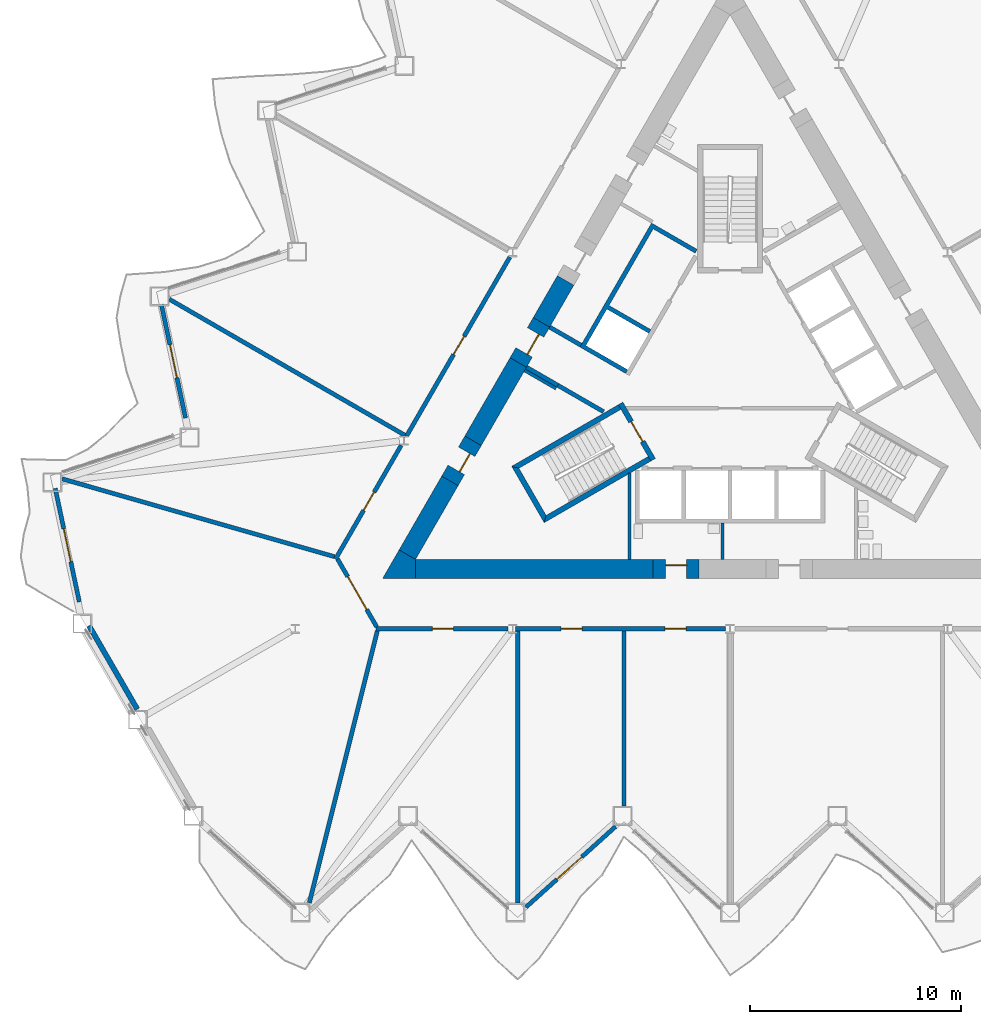
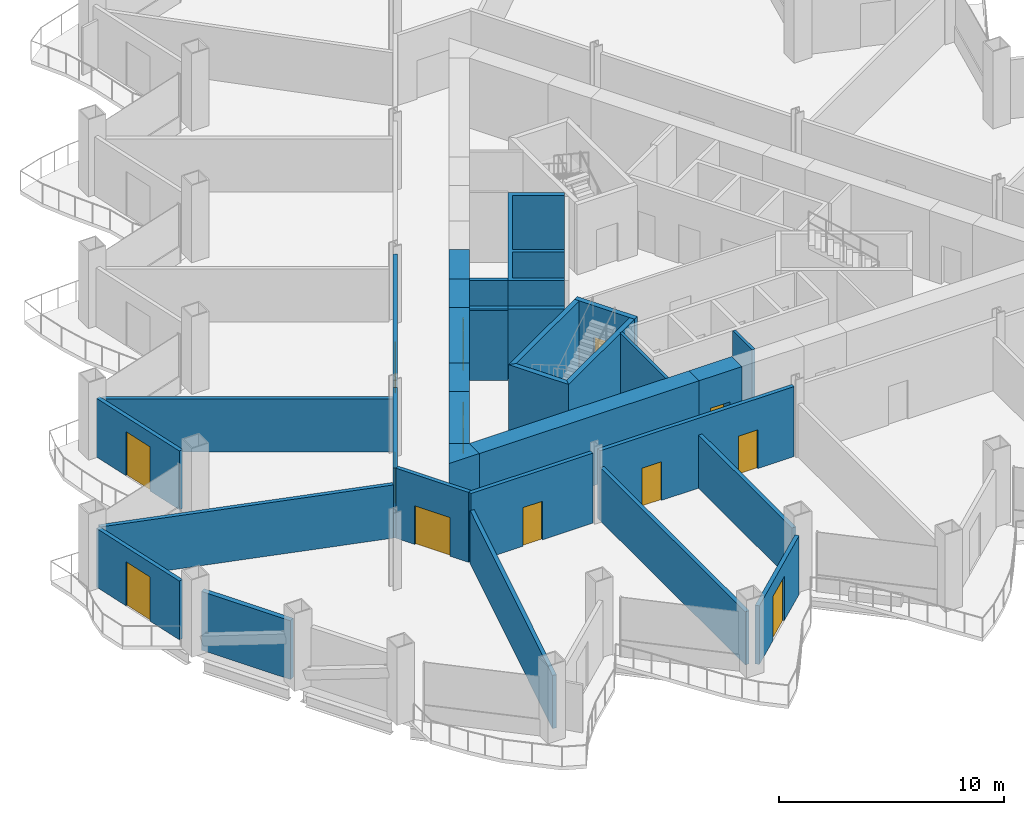
# One storey, part 10 of 21: 33 walls, 13 doors, 13 openings.
"""IFC4 building model written with IfcOpenShell, lengths in metres."""

from ifc_helpers import new_model, si_unit, direction, frame, frame_2d, origin, place, context, subcontext, project, spatial, polyline, rectangle, outline, extrude, material, layer, layer_set, type_object, element, fill, save


model = new_model("IFC4")

# Units and contexts
model_context = context("Model", 3, precision=1e-05, world=origin(), true_north=direction((0.0, 1.0)))
body_context = subcontext(model_context, "Body", "Model", "MODEL_VIEW")
ifc_project = project(units=[si_unit("LENGTHUNIT", "METRE"), si_unit("AREAUNIT", "SQUARE_METRE"), si_unit("VOLUMEUNIT", "CUBIC_METRE"), si_unit("PLANEANGLEUNIT", "RADIAN"), si_unit("MASSUNIT", "GRAM", prefix="KILO")], contexts=[model_context])

# Site, building, storey
site_placement = place(None, origin())
site = spatial("IfcSite", under=ifc_project, at=site_placement, CompositionType="ELEMENT")
building_placement = place(site_placement, origin())
building = spatial("IfcBuilding", under=site, at=building_placement, Name="Cormorant Prow Tower", CompositionType="ELEMENT")
storey_placement = place(building_placement, frame((0.0, 0.0, 124.800048828125)))
storey = spatial("IfcBuildingStorey", under=building, at=storey_placement, Name="L26", CompositionType="ELEMENT", Elevation=124.800048828125)

# Walls
ifc_material_1 = material(Name="Gypsum board partition")
ifc_layer_1 = layer(ifc_material_1, 0.14990234375)
ifc_layer_set_1 = layer_set([ifc_layer_1], Name="Gypsum board partition")
wall_type_1 = type_object("IfcWallType", Name="Core partition 150", PredefinedType="PARTITIONING", material=ifc_layer_set_1)
for number, where, z_axis, x_axis, name in (
    (1, (-8.268310546875, -0.509033203125, 0.0), (0.0, 0.0, 1.0), (-0.866024871741, 0.500000921525, 0.0), "Service room partition"),
    (2, (-0.351318359375, -8.626220703125, 0.0), (0.0, 0.0, 1.0), (0.0, 1.0, 0.0), "Service room partition"),
):
    element("IfcWall", number, at=place(storey_placement, frame(where, z_axis=z_axis, x_axis=x_axis)), inside=storey, type_object=wall_type_1, Name=name, PredefinedType="PARTITIONING", context=body_context, shape_type="SweptSolid", body=[
        extrude(rectangle(XDim=1.72021484375, YDim=0.14990234375, at=frame_2d((0.860107421875, 0.0))), origin(), (0.0, 0.0, 1.0), 3.800048828125),
    ])
wall_1_placement = place(storey_placement, frame((-4.78076171875, -8.626220703125, 0.0), z_axis=(0.0, 0.0, 1.0), x_axis=(0.0, 1.0, 0.0)))
element("IfcWall", 3, at=wall_1_placement, inside=storey, type_object=wall_type_1, Name="Service room partition", PredefinedType="PARTITIONING", context=body_context, shape_type="SweptSolid", body=[
    extrude(rectangle(XDim=4.09326171875, YDim=0.14990234375, at=frame_2d((2.046630859375, 0.0))), origin(), (0.0, 0.0, 1.0), 3.800048828125),
])
ifc_material_2 = material(Name="Concrete 8000 psi", Category="concrete")
ifc_layer_2 = layer(ifc_material_2, 0.89990234375)
ifc_layer_set_2 = layer_set([ifc_layer_2], Name="Concrete 8000 psi")
wall_type_2 = type_object("IfcWallType", Name="Core shear wall 900", PredefinedType="SHEAR", material=ifc_layer_set_2)
wall_2_placement = place(storey_placement, frame((-14.941162109375, -9.076416015625, 0.0), z_axis=(0.0, 0.0, 1.0), x_axis=(1.0, 0.0, 0.0)))
element("IfcWall", 4, at=wall_2_placement, inside=storey, type_object=wall_type_2, Name="Core wall", PredefinedType="SHEAR", context=body_context, shape_type="SweptSolid", body=[
    extrude(rectangle(XDim=11.275146484375, YDim=0.89990234375, at=frame_2d((5.6376953125, 0.0))), origin(), (0.0, 0.0, 1.0), 3.800048828125),
])
wall_3_placement = place(storey_placement, frame((-10.060302734375, 0.7275390625, 0.0), z_axis=(0.0, 0.0, 1.0), x_axis=(-0.499996331799, -0.866027521611, 0.0)))
element("IfcWall", 5, at=wall_3_placement, inside=storey, type_object=wall_type_2, Name="Core wall", PredefinedType="SHEAR", context=body_context, shape_type="SweptSolid", body=[
    extrude(rectangle(XDim=4.29541015625, YDim=0.89990234375, at=frame_2d((2.147705078125, 0.0))), origin(), (0.0, 0.0, 1.0), 3.800048828125),
])
wall_4_placement = place(storey_placement, frame((-13.30810546875, -4.897705078125, 0.0), z_axis=(0.0, 0.0, 1.0), x_axis=(-0.499974938593, -0.866039872511, 0.0)))
element("IfcWall", 6, at=wall_4_placement, inside=storey, type_object=wall_type_2, Name="Core wall", PredefinedType="SHEAR", context=body_context, shape_type="SweptSolid", body=[
    extrude(rectangle(XDim=4.045654296875, YDim=0.89990234375, at=frame_2d((2.02294921875, 0.0))), origin(), (0.0, 0.0, 1.0), 3.800048828125),
])
wall_5_placement = place(storey_placement, frame((-7.810302734375, 4.624755859375, 0.0), z_axis=(0.0, 0.0, 1.0), x_axis=(-0.499952165731, -0.866053019151, 0.0)))
element("IfcWall", 7, at=wall_5_placement, inside=storey, type_object=wall_type_2, Name="Core wall", PredefinedType="SHEAR", context=body_context, shape_type="SweptSolid", body=[
    extrude(rectangle(XDim=2.300048828125, YDim=0.89990234375, at=frame_2d((1.14990234375, 0.0))), origin(), (0.0, 0.0, 1.0), 3.800048828125),
])
wall_6_placement = place(storey_placement, origin())
element("IfcWall", 8, at=wall_6_placement, inside=storey, type_object=wall_type_2, Name="Core wall corner", PredefinedType="SHEAR", context=body_context, shape_type="SweptSolid", body=[
    extrude(outline(polyline([(-14.941162109375, -8.626220703125), (-14.941162109375, -9.5263671875), (-16.5, -9.5263671875), (-15.720703125, -8.17626953125), (-14.941162109375, -8.626220703125)])), origin(), (0.0, 0.0, 1.0), 3.800048828125),
])

# Wall, opening, door
wall_7_placement = place(storey_placement, frame((-3.666015625, -9.076416015625, 0.0), z_axis=(0.0, 0.0, 1.0), x_axis=(1.0, 0.0, 0.0)))
wall_7 = element("IfcWall", 9, at=wall_7_placement, inside=storey, type_object=wall_type_2, Name="Core wall door panel", PredefinedType="SHEAR", context=body_context, shape_type="SweptSolid", body=[
    extrude(rectangle(XDim=2.199951171875, YDim=0.89990234375, at=frame_2d((1.10009765625, 0.0))), origin(), (0.0, 0.0, 1.0), 3.800048828125),
])
opening_1_placement = place(wall_7_placement, frame((0.60009765625, 0.0, 0.0)))
opening_1 = element("IfcOpeningElement", 10, at=opening_1_placement, cuts=wall_7, Name="Opening L26-C14", PredefinedType="OPENING", context=body_context, shape_type="SweptSolid", body=[
    extrude(rectangle(XDim=1.0, YDim=2.10009765625, at=frame_2d((0.5, 1.050048828125))), frame((0.0, 0.4599609375, 0.0), z_axis=(0.0, -1.0, 0.0), x_axis=(1.0, 0.0, 0.0)), (0.0, 0.0, 1.0), 0.919921875),
])
ifc_material_3 = material(Name="Painted steel", Category="steel")
door_type_1 = type_object("IfcDoorType", Name="Service door 1000x2100", OperationType="NOTDEFINED", PredefinedType="DOOR", material=ifc_material_3)
door_1_placement = place(opening_1_placement, origin())
door_1 = element("IfcDoor", 11, at=door_1_placement, inside=storey, type_object=door_type_1, Name="Core door, Accessible WC L26", OperationType="SINGLE_SWING_RIGHT", OverallHeight=2.10009765625, OverallWidth=1.0, PredefinedType="DOOR", context=body_context, shape_type="SweptSolid", body=[
    extrude(rectangle(XDim=1.0, YDim=2.10009765625, at=frame_2d((0.5, 1.050048828125))), frame((0.0, 0.205078125, 0.0), z_axis=(0.0, -1.0, 0.0), x_axis=(1.0, 0.0, 0.0)), (0.0, 0.0, 1.0), 0.050048828125),
])
fill(opening_1, door_1)

wall_8_placement = place(storey_placement, frame((-12.2080078125, -2.992431640625, 0.0), z_axis=(0.0, 0.0, 1.0), x_axis=(-0.50002983664, -0.866008176907, 0.0)))
wall_8 = element("IfcWall", 12, at=wall_8_placement, inside=storey, type_object=wall_type_2, Name="Core wall door panel", PredefinedType="SHEAR", context=body_context, shape_type="SweptSolid", body=[
    extrude(rectangle(XDim=2.199951171875, YDim=0.89990234375, at=frame_2d((1.10009765625, 0.0))), origin(), (0.0, 0.0, 1.0), 3.800048828125),
])
opening_2_placement = place(wall_8_placement, frame((0.60009765625, 0.0, 0.0)))
opening_2 = element("IfcOpeningElement", 13, at=opening_2_placement, cuts=wall_8, Name="Opening L26-C16", PredefinedType="OPENING", context=body_context, shape_type="SweptSolid", body=[
    extrude(rectangle(XDim=1.0, YDim=2.10009765625, at=frame_2d((0.5, 1.050048828125))), frame((0.0, 0.4599609375, 0.0), z_axis=(0.0, -1.0, 0.0), x_axis=(1.0, 0.0, 0.0)), (0.0, 0.0, 1.0), 0.919921875),
])
door_2_placement = place(opening_2_placement, origin())
door_2 = element("IfcDoor", 14, at=door_2_placement, inside=storey, type_object=door_type_1, Name="Core door, Linen store", OperationType="SINGLE_SWING_RIGHT", OverallHeight=2.10009765625, OverallWidth=1.0, PredefinedType="DOOR", context=body_context, shape_type="SweptSolid", body=[
    extrude(rectangle(XDim=1.0, YDim=2.10009765625, at=frame_2d((0.5, 1.050048828125))), frame((0.0, 0.205078125, 0.0), z_axis=(0.0, -1.0, 0.0), x_axis=(1.0, 0.0, 0.0)), (0.0, 0.0, 1.0), 0.050048828125),
])
fill(opening_2, door_2)

wall_9_placement = place(storey_placement, frame((-8.960205078125, 2.6328125, 0.0), z_axis=(0.0, 0.0, 1.0), x_axis=(-0.50002983664, -0.866008176907, 0.0)))
wall_9 = element("IfcWall", 15, at=wall_9_placement, inside=storey, type_object=wall_type_2, Name="Core wall door panel", PredefinedType="SHEAR", context=body_context, shape_type="SweptSolid", body=[
    extrude(rectangle(XDim=2.199951171875, YDim=0.89990234375, at=frame_2d((1.10009765625, 0.0))), origin(), (0.0, 0.0, 1.0), 3.800048828125),
])
opening_3_placement = place(wall_9_placement, frame((0.550048828125, 0.0, 0.0)))
opening_3 = element("IfcOpeningElement", 16, at=opening_3_placement, cuts=wall_9, Name="Opening L26-C22", PredefinedType="OPENING", context=body_context, shape_type="SweptSolid", body=[
    extrude(rectangle(XDim=1.10009765625, YDim=2.10009765625, at=frame_2d((0.550048828125, 1.050048828125))), frame((0.0, 0.4599609375, 0.0), z_axis=(0.0, -1.0, 0.0), x_axis=(1.0, 0.0, 0.0)), (0.0, 0.0, 1.0), 0.919921875),
])
ifc_material_4 = material(Name="Painted steel", Category="steel")
door_type_2 = type_object("IfcDoorType", Name="Core door 1100x2100", OperationType="NOTDEFINED", PredefinedType="DOOR", material=ifc_material_4)
door_3_placement = place(opening_3_placement, origin())
door_3 = element("IfcDoor", 17, at=door_3_placement, inside=storey, type_object=door_type_2, Name="Core door, lift lobby", OperationType="SINGLE_SWING_RIGHT", OverallHeight=2.10009765625, OverallWidth=1.10009765625, PredefinedType="DOOR", context=body_context, shape_type="SweptSolid", body=[
    extrude(rectangle(XDim=1.10009765625, YDim=2.10009765625, at=frame_2d((0.550048828125, 1.050048828125))), frame((0.0, 0.205078125, 0.0), z_axis=(0.0, -1.0, 0.0), x_axis=(1.0, 0.0, 0.0)), (0.0, 0.0, 1.0), 0.050048828125),
])
fill(opening_3, door_3)

# Wall, openings, doors
ifc_material_5 = material(Name="Gypsum board corridor wall")
ifc_layer_3 = layer(ifc_material_5, 0.199951171875)
ifc_layer_set_3 = layer_set([ifc_layer_3], Name="Gypsum board corridor wall")
wall_type_3 = type_object("IfcWallType", Name="Corridor wall 200", PredefinedType="PARTITIONING", material=ifc_layer_set_3)
wall_10_placement = place(storey_placement, frame((-10.19677734375, -11.92626953125, 0.0), z_axis=(0.0, 0.0, 1.0), x_axis=(1.0, 0.0, 0.0)))
wall_10 = element("IfcWall", 18, at=wall_10_placement, inside=storey, type_object=wall_type_3, Name="Corridor wall", PredefinedType="PARTITIONING", context=body_context, shape_type="SweptSolid", body=[
    extrude(rectangle(XDim=9.969482421875, YDim=0.199951171875, at=frame_2d((4.98486328125, 0.0))), origin(), (0.0, 0.0, 1.0), 3.800048828125),
])
opening_4_placement = place(wall_10_placement, frame((2.165771484375, 0.0, 0.0)))
opening_4 = element("IfcOpeningElement", 19, at=opening_4_placement, cuts=wall_10, Name="Opening L26-F02", PredefinedType="OPENING", context=body_context, shape_type="SweptSolid", body=[
    extrude(rectangle(XDim=1.0, YDim=2.10009765625, at=frame_2d((0.5, 1.050048828125))), frame((0.0, 0.10986328125, 0.0), z_axis=(0.0, -1.0, 0.0), x_axis=(1.0, 0.0, 0.0)), (0.0, 0.0, 1.0), 0.219970703125),
])
opening_5_placement = place(wall_10_placement, frame((7.106201171875, 0.0, 0.0)))
opening_5 = element("IfcOpeningElement", 20, at=opening_5_placement, cuts=wall_10, Name="Opening L26-F03", PredefinedType="OPENING", context=body_context, shape_type="SweptSolid", body=[
    extrude(rectangle(XDim=1.0, YDim=2.10009765625, at=frame_2d((0.5, 1.050048828125))), frame((0.0, 0.10986328125, 0.0), z_axis=(0.0, -1.0, 0.0), x_axis=(1.0, 0.0, 0.0)), (0.0, 0.0, 1.0), 0.219970703125),
])
ifc_material_6 = material(Name="Timber door leaf", Category="wood")
door_type_3 = type_object("IfcDoorType", Name="Office door 1000x2100", OperationType="NOTDEFINED", PredefinedType="DOOR", material=ifc_material_6)
door_4_placement = place(opening_4_placement, origin())
door_4 = element("IfcDoor", 21, at=door_4_placement, inside=storey, type_object=door_type_3, Name="Private office door", OperationType="SINGLE_SWING_LEFT", OverallHeight=2.10009765625, OverallWidth=1.0, PredefinedType="DOOR", context=body_context, shape_type="SweptSolid", body=[
    extrude(rectangle(XDim=1.0, YDim=2.10009765625, at=frame_2d((0.5, 1.050048828125))), frame((0.0, 0.02490234375, 0.0), z_axis=(0.0, -1.0, 0.0), x_axis=(1.0, 0.0, 0.0)), (0.0, 0.0, 1.0), 0.050048828125),
])
fill(opening_4, door_4)
door_5_placement = place(opening_5_placement, origin())
door_5 = element("IfcDoor", 22, at=door_5_placement, inside=storey, type_object=door_type_3, Name="Private office door", OperationType="SINGLE_SWING_LEFT", OverallHeight=2.10009765625, OverallWidth=1.0, PredefinedType="DOOR", context=body_context, shape_type="SweptSolid", body=[
    extrude(rectangle(XDim=1.0, YDim=2.10009765625, at=frame_2d((0.5, 1.050048828125))), frame((0.0, 0.02490234375, 0.0), z_axis=(0.0, -1.0, 0.0), x_axis=(1.0, 0.0, 0.0)), (0.0, 0.0, 1.0), 0.050048828125),
])
fill(opening_5, door_5)

# Wall, opening, door
wall_11_placement = place(storey_placement, frame((-15.361328125, -2.754150390625, 0.0), z_axis=(0.0, 0.0, 1.0), x_axis=(0.500004141693, 0.866023012564, 0.0)))
wall_11 = element("IfcWall", 23, at=wall_11_placement, inside=storey, type_object=wall_type_3, Name="Corridor wall", PredefinedType="PARTITIONING", context=body_context, shape_type="SweptSolid", body=[
    extrude(rectangle(XDim=9.80322265625, YDim=0.199951171875, at=frame_2d((4.901611328125, 0.0))), origin(), (0.0, 0.0, 1.0), 3.800048828125),
])
opening_6_placement = place(wall_11_placement, frame((4.45166015625, 0.0, 0.0)))
opening_6 = element("IfcOpeningElement", 24, at=opening_6_placement, cuts=wall_11, Name="Opening L26-F13", PredefinedType="OPENING", context=body_context, shape_type="SweptSolid", body=[
    extrude(rectangle(XDim=1.0, YDim=2.10009765625, at=frame_2d((0.5, 1.050048828125))), frame((0.0, 0.10986328125, 0.0), z_axis=(0.0, -1.0, 0.0), x_axis=(1.0, 0.0, 0.0)), (0.0, 0.0, 1.0), 0.219970703125),
])
door_6_placement = place(opening_6_placement, origin())
door_6 = element("IfcDoor", 25, at=door_6_placement, inside=storey, type_object=door_type_3, Name="Co-working room door", OperationType="SINGLE_SWING_RIGHT", OverallHeight=2.10009765625, OverallWidth=1.0, PredefinedType="DOOR", context=body_context, shape_type="SweptSolid", body=[
    extrude(rectangle(XDim=1.0, YDim=2.10009765625, at=frame_2d((0.5, 1.050048828125))), frame((0.0, 0.02490234375, 0.0), z_axis=(0.0, -1.0, 0.0), x_axis=(1.0, 0.0, 0.0)), (0.0, 0.0, 1.0), 0.050048828125),
])
fill(opening_6, door_6)

wall_12_placement = place(storey_placement, frame((-16.830810546875, -11.92626953125, 0.0), z_axis=(0.0, 0.0, 1.0), x_axis=(1.0, 0.0, 0.0)))
wall_12 = element("IfcWall", 26, at=wall_12_placement, inside=storey, type_object=wall_type_3, Name="Corridor wall", PredefinedType="PARTITIONING", context=body_context, shape_type="SweptSolid", body=[
    extrude(rectangle(XDim=6.27490234375, YDim=0.199951171875, at=frame_2d((3.137451171875, 0.0))), origin(), (0.0, 0.0, 1.0), 3.800048828125),
])
opening_7_placement = place(wall_12_placement, frame((2.688232421875, 0.0, 0.0)))
opening_7 = element("IfcOpeningElement", 27, at=opening_7_placement, cuts=wall_12, Name="Opening L26-F01", PredefinedType="OPENING", context=body_context, shape_type="SweptSolid", body=[
    extrude(rectangle(XDim=1.0, YDim=2.10009765625, at=frame_2d((0.5, 1.050048828125))), frame((0.0, 0.10986328125, 0.0), z_axis=(0.0, -1.0, 0.0), x_axis=(1.0, 0.0, 0.0)), (0.0, 0.0, 1.0), 0.219970703125),
])
door_7_placement = place(opening_7_placement, origin())
door_7 = element("IfcDoor", 28, at=door_7_placement, inside=storey, type_object=door_type_3, Name="Open-plan office door", OperationType="SINGLE_SWING_LEFT", OverallHeight=2.10009765625, OverallWidth=1.0, PredefinedType="DOOR", context=body_context, shape_type="SweptSolid", body=[
    extrude(rectangle(XDim=1.0, YDim=2.10009765625, at=frame_2d((0.5, 1.050048828125))), frame((0.0, 0.02490234375, 0.0), z_axis=(0.0, -1.0, 0.0), x_axis=(1.0, 0.0, 0.0)), (0.0, 0.0, 1.0), 0.050048828125),
])
fill(opening_7, door_7)

wall_13_placement = place(storey_placement, frame((-18.743896484375, -8.61279296875, 0.0), z_axis=(0.0, 0.0, 1.0), x_axis=(0.499997920671, 0.866026604282, 0.0)))
wall_13 = element("IfcWall", 29, at=wall_13_placement, inside=storey, type_object=wall_type_3, Name="Corridor wall", PredefinedType="PARTITIONING", context=body_context, shape_type="SweptSolid", body=[
    extrude(rectangle(XDim=6.23974609375, YDim=0.199951171875, at=frame_2d((3.119873046875, 0.0))), origin(), (0.0, 0.0, 1.0), 3.800048828125),
])
opening_8_placement = place(wall_13_placement, frame((2.67041015625, 0.0, 0.0)))
opening_8 = element("IfcOpeningElement", 30, at=opening_8_placement, cuts=wall_13, Name="Opening L26-F14", PredefinedType="OPENING", context=body_context, shape_type="SweptSolid", body=[
    extrude(rectangle(XDim=1.0, YDim=2.10009765625, at=frame_2d((0.5, 1.050048828125))), frame((0.0, 0.10986328125, 0.0), z_axis=(0.0, -1.0, 0.0), x_axis=(1.0, 0.0, 0.0)), (0.0, 0.0, 1.0), 0.219970703125),
])
door_8_placement = place(opening_8_placement, origin())
door_8 = element("IfcDoor", 31, at=door_8_placement, inside=storey, type_object=door_type_3, Name="Tenant suite door", OperationType="SINGLE_SWING_LEFT", OverallHeight=2.10009765625, OverallWidth=1.0, PredefinedType="DOOR", context=body_context, shape_type="SweptSolid", body=[
    extrude(rectangle(XDim=1.0, YDim=2.10009765625, at=frame_2d((0.5, 1.050048828125))), frame((0.0, 0.02490234375, 0.0), z_axis=(0.0, -1.0, 0.0), x_axis=(1.0, 0.0, 0.0)), (0.0, 0.0, 1.0), 0.050048828125),
])
fill(opening_8, door_8)

wall_14_placement = place(storey_placement, frame((-18.643798828125, -8.61279296875, 0.0), z_axis=(0.0, 0.0, 1.0), x_axis=(0.499958791762, -0.866049194065, 0.0)))
wall_14 = element("IfcWall", 32, at=wall_14_placement, inside=storey, type_object=wall_type_3, Name="Corridor wall", PredefinedType="PARTITIONING", context=body_context, shape_type="SweptSolid", body=[
    extrude(rectangle(XDim=3.725830078125, YDim=0.199951171875, at=frame_2d((1.86279296875, 0.0))), origin(), (0.0, 0.0, 1.0), 3.800048828125),
])
opening_9_placement = place(wall_14_placement, frame((0.962890625, 0.0, 0.0)))
opening_9 = element("IfcOpeningElement", 33, at=opening_9_placement, cuts=wall_14, Name="Opening L26-F15", PredefinedType="OPENING", context=body_context, shape_type="SweptSolid", body=[
    extrude(rectangle(XDim=1.800048828125, YDim=2.10009765625, at=frame_2d((0.89990234375, 1.050048828125))), frame((0.0, 0.10986328125, 0.0), z_axis=(0.0, -1.0, 0.0), x_axis=(1.0, 0.0, 0.0)), (0.0, 0.0, 1.0), 0.219970703125),
])
ifc_material_7 = material(Name="Timber door leaf", Category="wood")
door_type_4 = type_object("IfcDoorType", Name="Double door 1800x2100", OperationType="DOUBLE_DOOR_SINGLE_SWING", PredefinedType="DOOR", material=ifc_material_7)
door_9_placement = place(opening_9_placement, origin())
door_9 = element("IfcDoor", 34, at=door_9_placement, inside=storey, type_object=door_type_4, Name="Trading room door", OperationType="DOUBLE_DOOR_SINGLE_SWING", OverallHeight=2.10009765625, OverallWidth=1.800048828125, PredefinedType="DOOR", context=body_context, shape_type="SweptSolid", body=[
    extrude(rectangle(XDim=1.800048828125, YDim=2.10009765625, at=frame_2d((0.89990234375, 1.050048828125))), frame((0.0, 0.02490234375, 0.0), z_axis=(0.0, -1.0, 0.0), x_axis=(1.0, 0.0, 0.0)), (0.0, 0.0, 1.0), 0.050048828125),
])
fill(opening_9, door_9)

# Walls
ifc_material_8 = material(Name="Gypsum board demising wall")
ifc_layer_4 = layer(ifc_material_8, 0.199951171875)
ifc_layer_set_4 = layer_set([ifc_layer_4], Name="Gypsum board demising wall")
wall_type_4 = type_object("IfcWallType", Name="Demising wall 200", PredefinedType="PARTITIONING", material=ifc_layer_set_4)
wall_15_placement = place(storey_placement, frame((-31.736083984375, -4.797607421875, 0.0), z_axis=(0.0, 0.0, 1.0), x_axis=(0.961478776026, -0.274879179372, 0.0)))
element("IfcWall", 35, at=wall_15_placement, inside=storey, type_object=wall_type_4, Name="Demising wall", PredefinedType="PARTITIONING", context=body_context, shape_type="SweptSolid", body=[
    extrude(rectangle(XDim=13.46484375, YDim=0.199951171875, at=frame_2d((6.732421875, 0.0))), origin(), (0.0, 0.0, 1.0), 2.88525390625),
])
wall_16_placement = place(storey_placement, frame((-19.986572265625, -24.939208984375, 0.0), z_axis=(0.0, 0.0, 1.0), x_axis=(0.242708204495, 0.97009933897, 0.0)))
element("IfcWall", 36, at=wall_16_placement, inside=storey, type_object=wall_type_4, Name="Demising wall", PredefinedType="PARTITIONING", context=body_context, shape_type="SweptSolid", body=[
    extrude(rectangle(XDim=13.314208984375, YDim=0.199951171875, at=frame_2d((6.6572265625, 0.0))), origin(), (0.0, 0.0, 1.0), 2.88525390625),
])
wall_17_placement = place(storey_placement, frame((-10.0869140625, -24.939208984375, 0.0), z_axis=(0.0, 0.0, 1.0), x_axis=(0.0, 1.0, 0.0)))
element("IfcWall", 37, at=wall_17_placement, inside=storey, type_object=wall_type_4, Name="Demising wall", PredefinedType="PARTITIONING", context=body_context, shape_type="SweptSolid", body=[
    extrude(rectangle(XDim=12.912841796875, YDim=0.199951171875, at=frame_2d((6.45654296875, 0.0))), origin(), (0.0, 0.0, 1.0), 2.88525390625),
])
wall_18_placement = place(storey_placement, frame((-26.63623046875, 3.731201171875, 0.0), z_axis=(0.0, 0.0, 1.0), x_axis=(0.866024473704, -0.500001610943, 0.0)))
element("IfcWall", 38, at=wall_18_placement, inside=storey, type_object=wall_type_4, Name="Demising wall", PredefinedType="PARTITIONING", context=body_context, shape_type="SweptSolid", body=[
    extrude(rectangle(XDim=12.970703125, YDim=0.199951171875, at=frame_2d((6.4853515625, 0.0))), origin(), (0.0, 0.0, 1.0), 2.88525390625),
])
wall_19_placement = place(storey_placement, frame((-5.04345703125, -20.34716796875, 0.0), z_axis=(0.0, 0.0, 1.0), x_axis=(0.0, 1.0, 0.0)))
element("IfcWall", 39, at=wall_19_placement, inside=storey, type_object=wall_type_4, Name="Demising wall", PredefinedType="PARTITIONING", context=body_context, shape_type="SweptSolid", body=[
    extrude(rectangle(XDim=8.32080078125, YDim=0.199951171875, at=frame_2d((4.160400390625, 0.0))), origin(), (0.0, 0.0, 1.0), 2.88525390625),
])
ifc_material_9 = material(Name="Concrete 8000 psi", Category="concrete")
ifc_layer_5 = layer(ifc_material_9, 0.199951171875)
ifc_layer_set_5 = layer_set([ifc_layer_5], Name="Concrete 8000 psi")
wall_type_5 = type_object("IfcWallType", Name="Lift shaft wall 200", PredefinedType="SHEAR", material=ifc_layer_set_5)
wall_20_placement = place(storey_placement, origin())
element("IfcWall", 40, at=wall_20_placement, inside=storey, type_object=wall_type_5, Name="Lift shaft walls, WNW block", PredefinedType="SHEAR", context=body_context, shape_type="SweptSolid", body=[
    extrude(outline(polyline([(-6.060546875, -1.697021484375), (-8.230712890625, -0.444091796875), (-8.130859375, -0.27099609375), (-5.96044921875, -1.52392578125), (-6.060546875, -1.697021484375)])), origin(), (0.0, 0.0, 1.0), 3.800048828125),
])
wall_21_placement = place(storey_placement, origin())
element("IfcWall", 41, at=wall_21_placement, inside=storey, type_object=wall_type_5, Name="Lift shaft walls, WNW block", PredefinedType="SHEAR", context=body_context, shape_type="SweptSolid", body=[
    extrude(outline(polyline([(-4.96044921875, 0.2080078125), (-7.130859375, 1.461181640625), (-3.730712890625, 7.35009765625), (-1.560546875, 6.09716796875), (-1.660400390625, 5.923828125), (-3.65234375, 7.073974609375), (-5.75244140625, 3.4365234375), (-3.760498046875, 2.28662109375), (-3.860595703125, 2.11328125), (-5.852294921875, 3.263427734375), (-6.852294921875, 1.53125), (-4.860595703125, 0.38134765625), (-4.96044921875, 0.2080078125)])), origin(), (0.0, 0.0, 1.0), 3.800048828125),
])
for number, where, z_axis, x_axis, name in (
    (42, (-7.080810546875, 1.547607421875, 0.0), (0.0, 0.0, 1.0), (-0.865963414263, 0.500107353632, 0.0), "Lobby passage wall"),
    (43, (-8.180908203125, -0.357421875, 0.0), (0.0, 0.0, 1.0), (-0.866024871741, 0.500000921525, 0.0), "Lobby passage wall"),
):
    element("IfcWall", number, at=place(storey_placement, frame(where, z_axis=z_axis, x_axis=x_axis)), inside=storey, type_object=wall_type_5, Name=name, PredefinedType="SHEAR", context=body_context, shape_type="SweptSolid", body=[
        extrude(rectangle(XDim=1.72021484375, YDim=0.199951171875, at=frame_2d((0.860107421875, 0.0))), origin(), (0.0, 0.0, 1.0), 3.800048828125),
    ])
ifc_material_10 = material(Name="Concrete 8000 psi", Category="concrete")
ifc_layer_6 = layer(ifc_material_10, 0.25)
ifc_layer_set_6 = layer_set([ifc_layer_6], Name="Concrete 8000 psi")
wall_type_6 = type_object("IfcWallType", Name="Stair wall 250", PredefinedType="SHEAR", material=ifc_layer_set_6)
wall_22_placement = place(storey_placement, origin())
element("IfcWall", 44, at=wall_22_placement, inside=storey, type_object=wall_type_6, Name="Stair ST1 enclosure wall (flank)", PredefinedType="SHEAR", context=body_context, shape_type="SweptSolid", body=[
    extrude(outline(polyline([(-5.30712890625, -1.28125), (-10.37353515625, -4.206298828125), (-10.031982421875, -4.2978515625), (-5.18212890625, -1.497802734375), (-5.30712890625, -1.28125)])), origin(), (0.0, 0.0, 1.0), 3.800048828125),
])
wall_23_placement = place(storey_placement, origin())
element("IfcWall", 45, at=wall_23_placement, inside=storey, type_object=wall_type_6, Name="Stair ST1 enclosure wall (end)", PredefinedType="SHEAR", context=body_context, shape_type="SweptSolid", body=[
    extrude(outline(polyline([(-10.37353515625, -4.206298828125), (-8.82958984375, -6.880615234375), (-8.738037109375, -6.5390625), (-10.031982421875, -4.2978515625), (-10.37353515625, -4.206298828125)])), origin(), (0.0, 0.0, 1.0), 3.800048828125),
])
wall_24_placement = place(storey_placement, origin())
element("IfcWall", 46, at=wall_24_placement, inside=storey, type_object=wall_type_6, Name="Stair ST1 enclosure wall (flank)", PredefinedType="SHEAR", context=body_context, shape_type="SweptSolid", body=[
    extrude(outline(polyline([(-8.738037109375, -6.5390625), (-8.82958984375, -6.880615234375), (-3.76318359375, -3.95556640625), (-3.88818359375, -3.739013671875), (-8.738037109375, -6.5390625)])), origin(), (0.0, 0.0, 1.0), 3.800048828125),
])

# Wall, opening, door
wall_25_placement = place(storey_placement, frame((-5.198974609375, -1.21875, 0.0), z_axis=(0.0, 0.0, 1.0), x_axis=(0.499982516597, -0.866035497597, 0.0)))
wall_25 = element("IfcWall", 47, at=wall_25_placement, inside=storey, type_object=wall_type_6, Name="Stair ST1 door wall", PredefinedType="SHEAR", context=body_context, shape_type="SweptSolid", body=[
    extrude(rectangle(XDim=3.087890625, YDim=0.25, at=frame_2d((1.5439453125, 0.0))), origin(), (0.0, 0.0, 1.0), 3.800048828125),
])
opening_10_placement = place(wall_25_placement, frame((0.993896484375, 0.0, 0.0)))
opening_10 = element("IfcOpeningElement", 48, at=opening_10_placement, cuts=wall_25, Name="Opening L26-C11", PredefinedType="OPENING", context=body_context, shape_type="SweptSolid", body=[
    extrude(rectangle(XDim=1.10009765625, YDim=2.10009765625, at=frame_2d((0.550048828125, 1.050048828125))), frame((0.0, 0.135009765625, 0.0), z_axis=(0.0, -1.0, 0.0), x_axis=(1.0, 0.0, 0.0)), (0.0, 0.0, 1.0), 0.27001953125),
])
ifc_material_11 = material(Name="Painted steel", Category="steel")
door_type_5 = type_object("IfcDoorType", Name="Stair door 1100x2100", OperationType="NOTDEFINED", PredefinedType="DOOR", material=ifc_material_11)
door_10_placement = place(opening_10_placement, origin())
door_10 = element("IfcDoor", 49, at=door_10_placement, inside=storey, type_object=door_type_5, Name="Stair ST1 door", OperationType="SINGLE_SWING_LEFT", OverallHeight=2.10009765625, OverallWidth=1.10009765625, PredefinedType="DOOR", context=body_context, shape_type="SweptSolid", body=[
    extrude(rectangle(XDim=1.10009765625, YDim=2.10009765625, at=frame_2d((0.550048828125, 1.050048828125))), frame((0.0, 0.02490234375, 0.0), z_axis=(0.0, -1.0, 0.0), x_axis=(1.0, 0.0, 0.0)), (0.0, 0.0, 1.0), 0.050048828125),
])
fill(opening_10, door_10)

# Wall
ifc_material_12 = material(Name="Terracotta", Category="masonry")
ifc_layer_7 = layer(ifc_material_12, 0.25)
ifc_layer_set_7 = layer_set([ifc_layer_7], Name="Terracotta")
wall_type_7 = type_object("IfcWallType", Name="Terracotta bay wall 250", PredefinedType="SOLIDWALL", material=ifc_layer_set_7)
wall_26_placement = place(storey_placement, frame((-30.451904296875, -11.77880859375, 0.0), z_axis=(0.0, 0.0, 1.0), x_axis=(0.500016357846, -0.866015959371, 0.0)))
element("IfcWall", 50, at=wall_26_placement, inside=storey, type_object=wall_type_7, Name="Terracotta bay wall WSW00", PredefinedType="SOLIDWALL", context=body_context, shape_type="SweptSolid", body=[
    extrude(rectangle(XDim=4.577880859375, YDim=0.25, at=frame_2d((2.2890625, 0.0))), origin(), (0.0, 0.0, 1.0), 3.18896484375),
])

# Wall, opening, door
ifc_material_13 = material(Name="Terracotta", Category="masonry")
ifc_layer_8 = layer(ifc_material_13, 0.199951171875)
ifc_layer_set_8 = layer_set([ifc_layer_8], Name="Terracotta")
wall_type_8 = type_object("IfcWallType", Name="Terracotta jamb wall 200", PredefinedType="SOLIDWALL", material=ifc_layer_set_8)
wall_27_placement = place(storey_placement, frame((-9.6962890625, -25.15087890625, 0.0), z_axis=(0.0, 0.0, 1.0), x_axis=(0.743141591148, 0.669134198428, 0.0)))
wall_27 = element("IfcWall", 51, at=wall_27_placement, inside=storey, type_object=wall_type_8, Name="Terracotta jamb wall S03", PredefinedType="SOLIDWALL", context=body_context, shape_type="SweptSolid", body=[
    extrude(rectangle(XDim=5.730224609375, YDim=0.199951171875, at=frame_2d((2.865234375, 0.0))), origin(), (0.0, 0.0, 1.0), 3.18896484375),
])
opening_11_placement = place(wall_27_placement, frame((1.977783203125, 0.0, 0.0)))
opening_11 = element("IfcOpeningElement", 52, at=opening_11_placement, cuts=wall_27, Name="Opening ED26.02", PredefinedType="OPENING", context=body_context, shape_type="SweptSolid", body=[
    extrude(rectangle(XDim=1.60009765625, YDim=2.39990234375, at=frame_2d((0.800048828125, 1.199951171875))), frame((0.0, 0.10986328125, 0.0), z_axis=(0.0, -1.0, 0.0), x_axis=(1.0, 0.0, 0.0)), (0.0, 0.0, 1.0), 0.219970703125),
])
ifc_material_14 = material(Name="Aluminium 6063-T6", Category="aluminium")
door_type_6 = type_object("IfcDoorType", Name="Balcony door 1600x2400", OperationType="DOUBLE_DOOR_SINGLE_SWING", PredefinedType="DOOR", material=ifc_material_14)
door_11_placement = place(opening_11_placement, origin())
door_11 = element("IfcDoor", 53, at=door_11_placement, inside=storey, type_object=door_type_6, Name="Balcony door S03 ED26.02", OperationType="DOUBLE_DOOR_SINGLE_SWING", OverallHeight=2.39990234375, OverallWidth=1.60009765625, PredefinedType="DOOR", context=body_context, shape_type="SweptSolid", body=[
    extrude(rectangle(XDim=1.60009765625, YDim=2.39990234375, at=frame_2d((0.800048828125, 1.199951171875))), frame((0.0, 0.02490234375, 0.0), z_axis=(0.0, -1.0, 0.0), x_axis=(1.0, 0.0, 0.0)), (0.0, 0.0, 1.0), 0.050048828125),
])
fill(opening_11, door_11)

wall_28_placement = place(storey_placement, frame((-27.015625, 3.481689453125, 0.0), z_axis=(0.0, 0.0, 1.0), x_axis=(0.207902173992, -0.978149623549, 0.0)))
wall_28 = element("IfcWall", 54, at=wall_28_placement, inside=storey, type_object=wall_type_8, Name="Terracotta jamb wall WNW07", PredefinedType="SOLIDWALL", context=body_context, shape_type="SweptSolid", body=[
    extrude(rectangle(XDim=5.5146484375, YDim=0.199951171875, at=frame_2d((2.75732421875, 0.0))), origin(), (0.0, 0.0, 1.0), 3.18896484375),
])
opening_12_placement = place(wall_28_placement, frame((1.957275390625, 0.0, 0.0)))
opening_12 = element("IfcOpeningElement", 55, at=opening_12_placement, cuts=wall_28, Name="Opening ED26.14", PredefinedType="OPENING", context=body_context, shape_type="SweptSolid", body=[
    extrude(rectangle(XDim=1.60009765625, YDim=2.39990234375, at=frame_2d((0.800048828125, 1.199951171875))), frame((0.0, 0.10986328125, 0.0), z_axis=(0.0, -1.0, 0.0), x_axis=(1.0, 0.0, 0.0)), (0.0, 0.0, 1.0), 0.219970703125),
])
door_12_placement = place(opening_12_placement, origin())
door_12 = element("IfcDoor", 56, at=door_12_placement, inside=storey, type_object=door_type_6, Name="Balcony door WNW07 ED26.14", OperationType="DOUBLE_DOOR_SINGLE_SWING", OverallHeight=2.39990234375, OverallWidth=1.60009765625, PredefinedType="DOOR", context=body_context, shape_type="SweptSolid", body=[
    extrude(rectangle(XDim=1.60009765625, YDim=2.39990234375, at=frame_2d((0.800048828125, 1.199951171875))), frame((0.0, 0.02490234375, 0.0), z_axis=(0.0, -1.0, 0.0), x_axis=(1.0, 0.0, 0.0)), (0.0, 0.0, 1.0), 0.050048828125),
])
fill(opening_12, door_12)

wall_29_placement = place(storey_placement, frame((-32.05908203125, -5.253662109375, 0.0), z_axis=(0.0, 0.0, 1.0), x_axis=(0.207902173992, -0.978149623549, 0.0)))
wall_29 = element("IfcWall", 57, at=wall_29_placement, inside=storey, type_object=wall_type_8, Name="Terracotta jamb wall WNW09", PredefinedType="SOLIDWALL", context=body_context, shape_type="SweptSolid", body=[
    extrude(rectangle(XDim=5.5146484375, YDim=0.199951171875, at=frame_2d((2.75732421875, 0.0))), origin(), (0.0, 0.0, 1.0), 3.18896484375),
])
opening_13_placement = place(wall_29_placement, frame((1.957275390625, 0.0, 0.0)))
opening_13 = element("IfcOpeningElement", 58, at=opening_13_placement, cuts=wall_29, Name="Opening ED26.15", PredefinedType="OPENING", context=body_context, shape_type="SweptSolid", body=[
    extrude(rectangle(XDim=1.60009765625, YDim=2.39990234375, at=frame_2d((0.800048828125, 1.199951171875))), frame((0.0, 0.10986328125, 0.0), z_axis=(0.0, -1.0, 0.0), x_axis=(1.0, 0.0, 0.0)), (0.0, 0.0, 1.0), 0.219970703125),
])
door_13_placement = place(opening_13_placement, origin())
door_13 = element("IfcDoor", 59, at=door_13_placement, inside=storey, type_object=door_type_6, Name="Balcony door WNW09 ED26.15", OperationType="DOUBLE_DOOR_SINGLE_SWING", OverallHeight=2.39990234375, OverallWidth=1.60009765625, PredefinedType="DOOR", context=body_context, shape_type="SweptSolid", body=[
    extrude(rectangle(XDim=1.60009765625, YDim=2.39990234375, at=frame_2d((0.800048828125, 1.199951171875))), frame((0.0, 0.02490234375, 0.0), z_axis=(0.0, -1.0, 0.0), x_axis=(1.0, 0.0, 0.0)), (0.0, 0.0, 1.0), 0.050048828125),
])
fill(opening_13, door_13)

save(model, "model.ifc")
